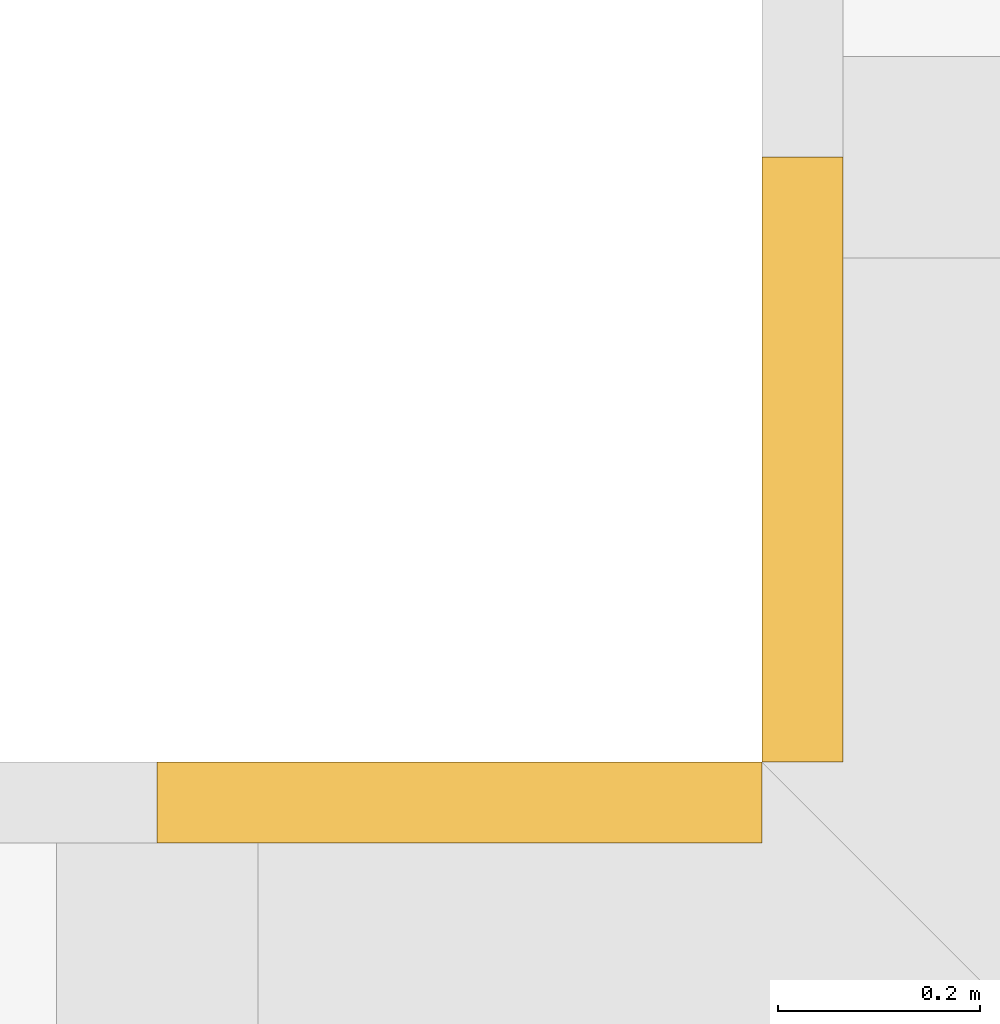
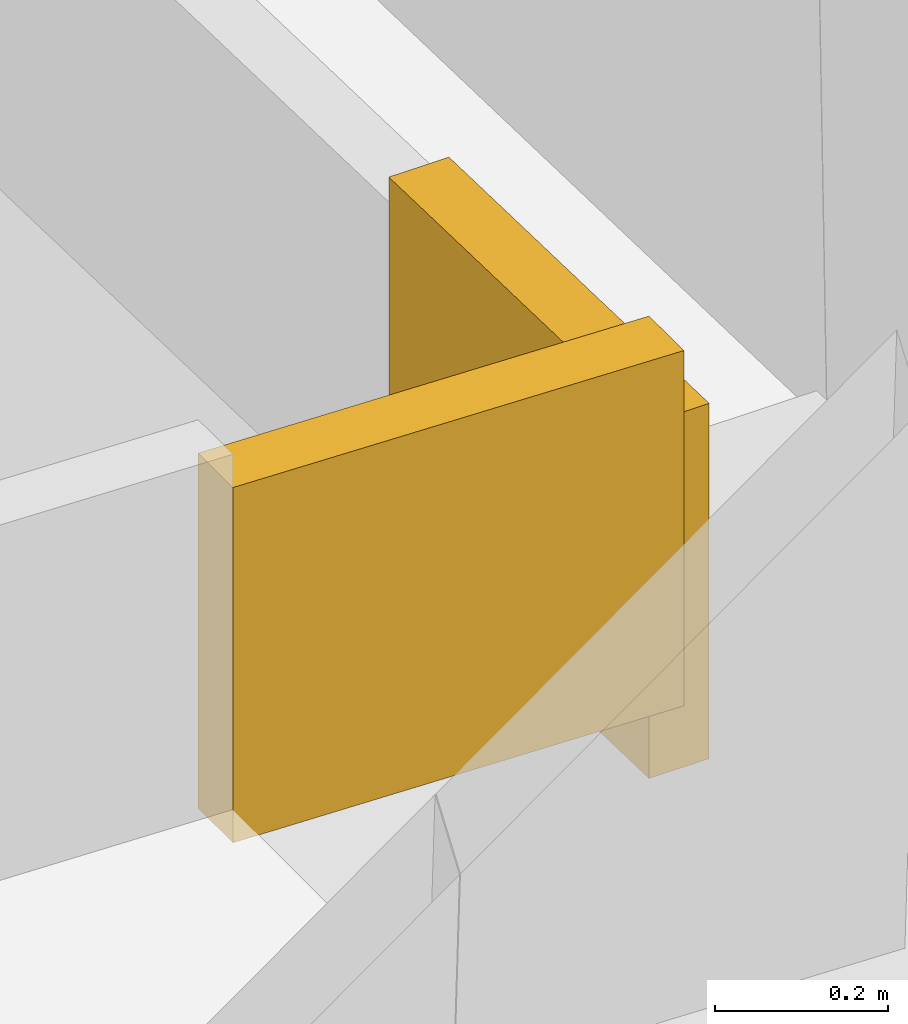
# One storey, part 26 of 26: 2 coverings.
"""IFC4 building model written with IfcOpenShell, lengths in metres."""

import ifcopenshell
import ifcopenshell.guid

model = None  # the IFC model being written
_history = None  # IfcOwnerHistory: only IFC2X3 demands one
_inside = {}  # id of a spatial element -> (the spatial element, [elements in it])
_under = {}  # id of a project, library or spatial element -> (it, [spatial elements below it])
_declared = {}  # id of a project -> (the project, [libraries it declares])
_typed = {}  # id of a type object -> (the type object, [elements of that type])
_made_of = {}  # id of a material, layer set ... -> (it, [elements and type objects made of it])


def new_model(schema):
    """Start an empty IFC model of exactly this schema.

    Asked for "IFC4X3", IfcOpenShell would pick the latest addendum, in which some entities
    have other attributes; the version numbers below select the first issue.
    IFC2X3 requires an IfcOwnerHistory on every rooted entity: one is made here for all.
    """
    global model, _history
    if schema == "IFC4X3":
        model = ifcopenshell.file(schema_version=(4, 3, 0, 0))
    else:
        model = ifcopenshell.file(schema=schema)
    _inside.clear()
    _under.clear()
    _declared.clear()
    _typed.clear()
    _made_of.clear()
    _history = None
    if model.schema == "IFC2X3":
        org = make("IfcOrganization", Name="unknown")
        user = make(
            "IfcPersonAndOrganization",
            ThePerson=make("IfcPerson", FamilyName="unknown"),
            TheOrganization=org,
        )
        app = make(
            "IfcApplication",
            ApplicationDeveloper=org,
            Version="unknown",
            ApplicationFullName="unknown",
            ApplicationIdentifier="unknown",
        )
        _history = make(
            "IfcOwnerHistory",
            OwningUser=user,
            OwningApplication=app,
            ChangeAction="ADDED",
            CreationDate=0,
        )
    return model


def make(cls, **values):
    """One entity of the class cls with the attributes given. An attribute that is None is left unset."""
    return model.create_entity(
        cls, **{name: value for name, value in values.items() if value is not None}
    )


def rooted(cls, **values):
    """An entity with a GlobalId (a new one), such as an element, a storey or a relation."""
    return make(cls, GlobalId=ifcopenshell.guid.new(), OwnerHistory=_history, **values)


def si_unit(unit_type, name, prefix=None):
    """IfcSIUnit, for example si_unit("LENGTHUNIT", "METRE", prefix="MILLI")."""
    return make("IfcSIUnit", UnitType=unit_type, Prefix=prefix, Name=name)


def assignment(units):
    """IfcUnitAssignment: the units of a project."""
    return None if units is None else make("IfcUnitAssignment", Units=units)


def point(xyz):
    """IfcCartesianPoint."""
    return None if xyz is None else make("IfcCartesianPoint", Coordinates=xyz)


def direction(xyz):
    """IfcDirection."""
    return None if xyz is None else make("IfcDirection", DirectionRatios=xyz)


def frame(location, z_axis=None, x_axis=None):
    """IfcAxis2Placement3D, a coordinate frame: its origin and axes. An axis left out is left unset."""
    return make(
        "IfcAxis2Placement3D",
        Location=point(location),
        Axis=direction(z_axis),
        RefDirection=direction(x_axis),
    )


def origin():
    """The frame at (0, 0, 0) with its axes left unset."""
    return frame((0.0, 0.0, 0.0))


def place(relative_to, where):
    """IfcLocalPlacement: puts the frame where relative to a parent placement (None: the world)."""
    return make(
        "IfcLocalPlacement", PlacementRelTo=relative_to, RelativePlacement=where
    )


def context(
    kind, dimensions, precision=None, world=None, true_north=None, identifier=None
):
    """IfcGeometricRepresentationContext, for example the 3D "Model" context."""
    return make(
        "IfcGeometricRepresentationContext",
        ContextIdentifier=identifier,
        ContextType=kind,
        CoordinateSpaceDimension=dimensions,
        Precision=precision,
        WorldCoordinateSystem=world,
        TrueNorth=true_north,
    )


def subcontext(parent, identifier, kind, view, scale=None):
    """IfcGeometricRepresentationSubContext, for example "Body" below "Model"."""
    return make(
        "IfcGeometricRepresentationSubContext",
        ContextIdentifier=identifier,
        ContextType=kind,
        ParentContext=parent,
        TargetScale=scale,
        TargetView=view,
    )


def project(units=None, contexts=None):
    """IfcProject with its units and contexts."""
    return rooted(
        "IfcProject",
        Name="project",
        RepresentationContexts=contexts,
        UnitsInContext=assignment(units),
    )


def spatial(cls, under=None, at=None, **own):
    """A site, building, storey or space (cls), placed at a placement, below another one or the project."""
    s = rooted(cls, ObjectPlacement=at, **own)
    if under is not None:
        _under.setdefault(under.id(), (under, []))[1].append(s)
    return s


def polyline(points):
    """IfcPolyline through the points."""
    return make("IfcPolyline", Points=[point(p) for p in points])


def outline(outer, holes=None, kind="AREA"):
    """IfcArbitraryClosedProfileDef: a profile drawn as a closed curve; with holes, ...WithVoids."""
    if holes is None:
        return make("IfcArbitraryClosedProfileDef", ProfileType=kind, OuterCurve=outer)
    return make(
        "IfcArbitraryProfileDefWithVoids",
        ProfileType=kind,
        OuterCurve=outer,
        InnerCurves=holes,
    )


def extrude(swept, where, along, depth):
    """IfcExtrudedAreaSolid: the profile swept, set in the frame where, extruded along a direction by depth."""
    return make(
        "IfcExtrudedAreaSolid",
        SweptArea=swept,
        Position=where,
        ExtrudedDirection=direction(along),
        Depth=depth,
    )


def shape(context_of_items, identifier, shape_type, items):
    """IfcShapeRepresentation: the items that make up one representation, for example the "Body"."""
    return make(
        "IfcShapeRepresentation",
        ContextOfItems=context_of_items,
        RepresentationIdentifier=identifier,
        RepresentationType=shape_type,
        Items=items,
    )


def material(Name=None, Category=None):
    """IfcMaterial."""
    return make("IfcMaterial", Name=Name, Category=Category)


def layer(
    of_material, thickness, ventilated=None, Name=None, Category=None, Priority=None
):
    """IfcMaterialLayer: one layer of a wall or slab, of a material (None: an air gap)."""
    return make(
        "IfcMaterialLayer",
        Material=of_material,
        LayerThickness=thickness,
        IsVentilated=ventilated,
        Name=Name,
        Category=Category,
        Priority=Priority,
    )


def layer_set(layers, Name=None):
    """IfcMaterialLayerSet."""
    return make("IfcMaterialLayerSet", MaterialLayers=layers, LayerSetName=Name)


def made_of(thing, what):
    """Note that an element or type object is made of a material, layer set ...; save() writes the relation."""
    if what is not None:
        _made_of.setdefault(what.id(), (what, []))[1].append(thing)
    return thing


def type_object(cls, material=None, **own):
    """A type object (cls), such as IfcWallType, which elements share."""
    return made_of(rooted(cls, **own), material)


def element(
    cls,
    number,
    at=None,
    inside=None,
    cuts=None,
    type_object=None,
    material=None,
    context=None,
    identifier="Body",
    shape_type=None,
    held_by="IfcProductDefinitionShape",
    body=None,
    shapes=None,
    **own,
):
    """One element of the class cls, such as IfcWall. Its Tag is "e" and its number.

    at: its placement. inside: the storey or other place that contains it. cuts: it is an
    opening in that element (IfcRelVoidsElement). A single representation is given by context,
    identifier, shape_type and body (its items); several are given by shapes. held_by: the class
    of the entity that holds the representations. save() writes the other relations.
    """
    e = rooted(cls, Tag="e%d" % number, ObjectPlacement=at, **own)
    if body is not None:
        shapes = [shape(context, identifier, shape_type, body)]
    if shapes is not None:
        e.Representation = make(held_by, Representations=shapes)
    if inside is not None:
        _inside.setdefault(inside.id(), (inside, []))[1].append(e)
    if cuts is not None:
        rooted(
            "IfcRelVoidsElement", RelatingBuildingElement=cuts, RelatedOpeningElement=e
        )
    if type_object is not None:
        _typed.setdefault(type_object.id(), (type_object, []))[1].append(e)
    return made_of(e, material)


def aggregate(whole, parts):
    """IfcRelAggregates: a whole, such as a stair, and the parts it consists of."""
    return rooted("IfcRelAggregates", RelatingObject=whole, RelatedObjects=parts)


def save(model, path):
    """Write the relations noted so far, then the file.

    IfcRelAggregates (storeys below a building ...), IfcRelContainedInSpatialStructure (elements
    in a storey), IfcRelDefinesByType, IfcRelAssociatesMaterial and IfcRelDeclares: one each for
    every whole, place, type object, material and project.
    """
    for whole, parts in _under.values():
        aggregate(whole, parts)
    for where, things in _inside.values():
        rooted(
            "IfcRelContainedInSpatialStructure",
            RelatedElements=things,
            RelatingStructure=where,
        )
    for kind, things in _typed.values():
        rooted("IfcRelDefinesByType", RelatedObjects=things, RelatingType=kind)
    for what, things in _made_of.values():
        rooted("IfcRelAssociatesMaterial", RelatedObjects=things, RelatingMaterial=what)
    for by, libraries in _declared.values():
        rooted("IfcRelDeclares", RelatingContext=by, RelatedDefinitions=libraries)
    model.write(path)


model = new_model("IFC4")

# Units and contexts
model_context = context("Model", 3, precision=1e-05, world=origin(), true_north=direction((0.0, 1.0)))
body_context = subcontext(model_context, "Body", "Model", "MODEL_VIEW")
ifc_project = project(units=[si_unit("LENGTHUNIT", "METRE"), si_unit("AREAUNIT", "SQUARE_METRE"), si_unit("VOLUMEUNIT", "CUBIC_METRE"), si_unit("PLANEANGLEUNIT", "RADIAN"), si_unit("MASSUNIT", "GRAM", prefix="KILO")], contexts=[model_context])

# Site, building, storey
site_placement = place(None, origin())
site = spatial("IfcSite", under=ifc_project, at=site_placement, CompositionType="ELEMENT")
building_placement = place(site_placement, origin())
building = spatial("IfcBuilding", under=site, at=building_placement, Name="Saffron Gate Tower", CompositionType="ELEMENT")
storey_placement = place(building_placement, frame((0.0, 0.0, 277.949951171875)))
storey = spatial("IfcBuildingStorey", under=building, at=storey_placement, Name="L67", CompositionType="ELEMENT", Elevation=277.949951171875)

# Coverings
ifc_material = material(Name="Timber, thermally modified ash", Category="wood")
ifc_layer = layer(ifc_material, 0.080078125)
ifc_layer_set = layer_set([ifc_layer], Name="LD2 ledge planter trough")
covering_type = type_object("IfcCoveringType", Name="LD2 ledge planter trough", PredefinedType="CLADDING", material=ifc_layer_set)
for number, where, z_axis, x_axis, name in (
    (1, (58.800048828125, 73.800048828125, 1.630615234375), (-1.0, 0.0, 0.0), (0.0, -0.999583081391, 0.028873229772), "LEDGE planter trough"),
    (2, (58.800048828125, 73.199951171875, 1.798828125), (0.0, 1.0, 0.0), (-0.999583081391, 0.0, 0.028873229772), "LEDGE planter trough"),
):
    element("IfcCovering", number, at=place(storey_placement, frame(where, z_axis=z_axis, x_axis=x_axis)), inside=storey, type_object=covering_type, Name=name, PredefinedType="CLADDING", context=body_context, shape_type="SweptSolid", body=[
        extrude(outline(polyline([(0.0, 0.0), (0.6003479524834376, -3.469446951953614e-18), (0.6147845673692678, 0.4997915406953566), (0.014436614885830073, 0.4997915406953566), (0.0, 0.0)])), origin(), (0.0, 0.0, -1.0), 0.080078125),
    ])

save(model, "model.ifc")
